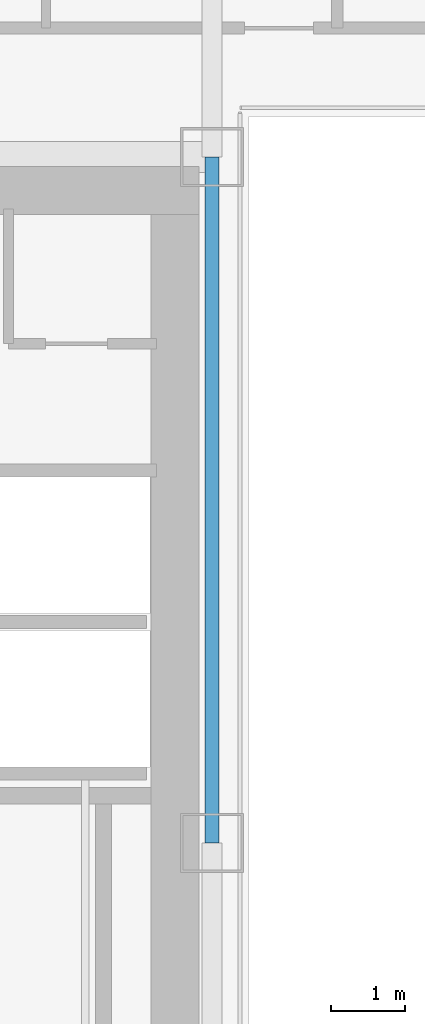
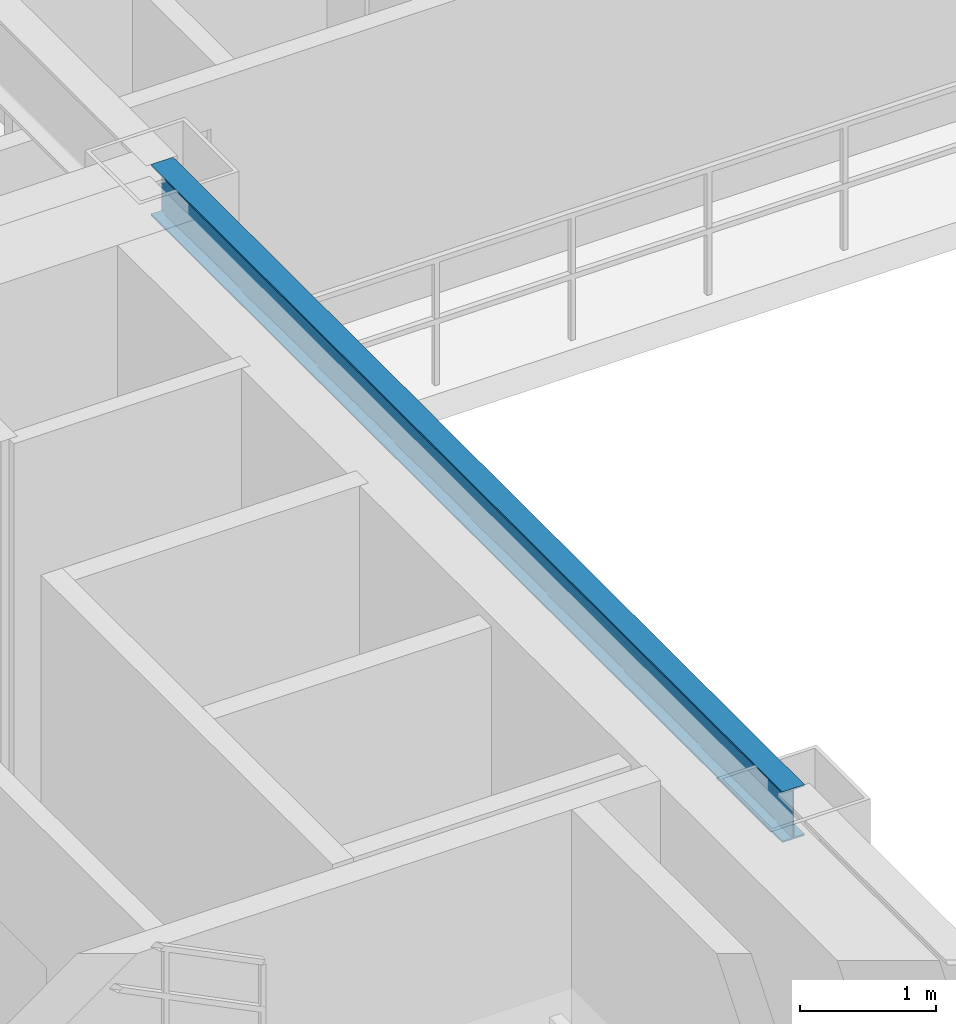
# One storey, part 9 of 35: 1 beam.
"""IFC4 building model written with IfcOpenShell, lengths in metres."""

from ifc_helpers import new_model, si_unit, direction, frame, origin, origin_2d, place, context, subcontext, project, spatial, i_section, extrude, source, transform, mapped, material, material_profile, profile_set, type_object, element, save


model = new_model("IFC4")

# Units and contexts
model_context = context("Model", 3, precision=1e-05, world=origin(), true_north=direction((0.0, 1.0)))
body_context = subcontext(model_context, "Body", "Model", "MODEL_VIEW")
ifc_project = project(units=[si_unit("LENGTHUNIT", "METRE"), si_unit("AREAUNIT", "SQUARE_METRE"), si_unit("VOLUMEUNIT", "CUBIC_METRE"), si_unit("PLANEANGLEUNIT", "RADIAN"), si_unit("MASSUNIT", "GRAM", prefix="KILO")], contexts=[model_context])

# Site, building, storey
site_placement = place(None, origin())
site = spatial("IfcSite", under=ifc_project, at=site_placement, CompositionType="ELEMENT")
building_placement = place(site_placement, origin())
building = spatial("IfcBuilding", under=site, at=building_placement, Name="Ocotamira Hotel", CompositionType="ELEMENT")
storey_placement = place(building_placement, frame((0.0, 0.0, 140.39990234375)))
storey = spatial("IfcBuildingStorey", under=building, at=storey_placement, Name="L35", CompositionType="ELEMENT", Elevation=140.39990234375)

# Beam
ifc_material = material(Name="Steel ASTM A992 Grade 50", Category="steel")
ifc_material_profile = material_profile(ifc_material, i_section(OverallWidth=0.18994140625, OverallDepth=0.45703125, WebThickness=0.009033203125, FlangeThickness=0.014404296875, FilletRadius=0.010009765625, at=origin_2d()), Name="W18X50")
ifc_profile_set = profile_set([ifc_material_profile], Name="Steel ASTM A992 Grade 50")
beam_type = type_object("IfcBeamType", Name="BM-SEC-W18X50", PredefinedType="JOIST", material=ifc_profile_set)
shared_shape = source(origin(), body_context, "Body", "SweptSolid", [
    extrude(i_section(OverallWidth=0.18994140625, OverallDepth=0.45703125, WebThickness=0.009033203125, FlangeThickness=0.014404296875, FilletRadius=0.010009765625, at=origin_2d()), origin(), (0.0, 0.0, 1.0), 9.300048828125),
])
beam_placement = place(storey_placement, frame((23.5, 28.14990234375, 3.131591796875), z_axis=(0.0, 1.0, 0.0), x_axis=(-1.0, 0.0, 0.0)))
element("IfcBeam", 1, at=beam_placement, inside=storey, type_object=beam_type, Name="L35 Beam X23.5 Y28.15-37.45", PredefinedType="JOIST", context=body_context, shape_type="MappedRepresentation", body=[
    mapped(shared_shape, transform((0.0, 0.0, 0.0), scale=1.0)),
])

save(model, "model.ifc")
